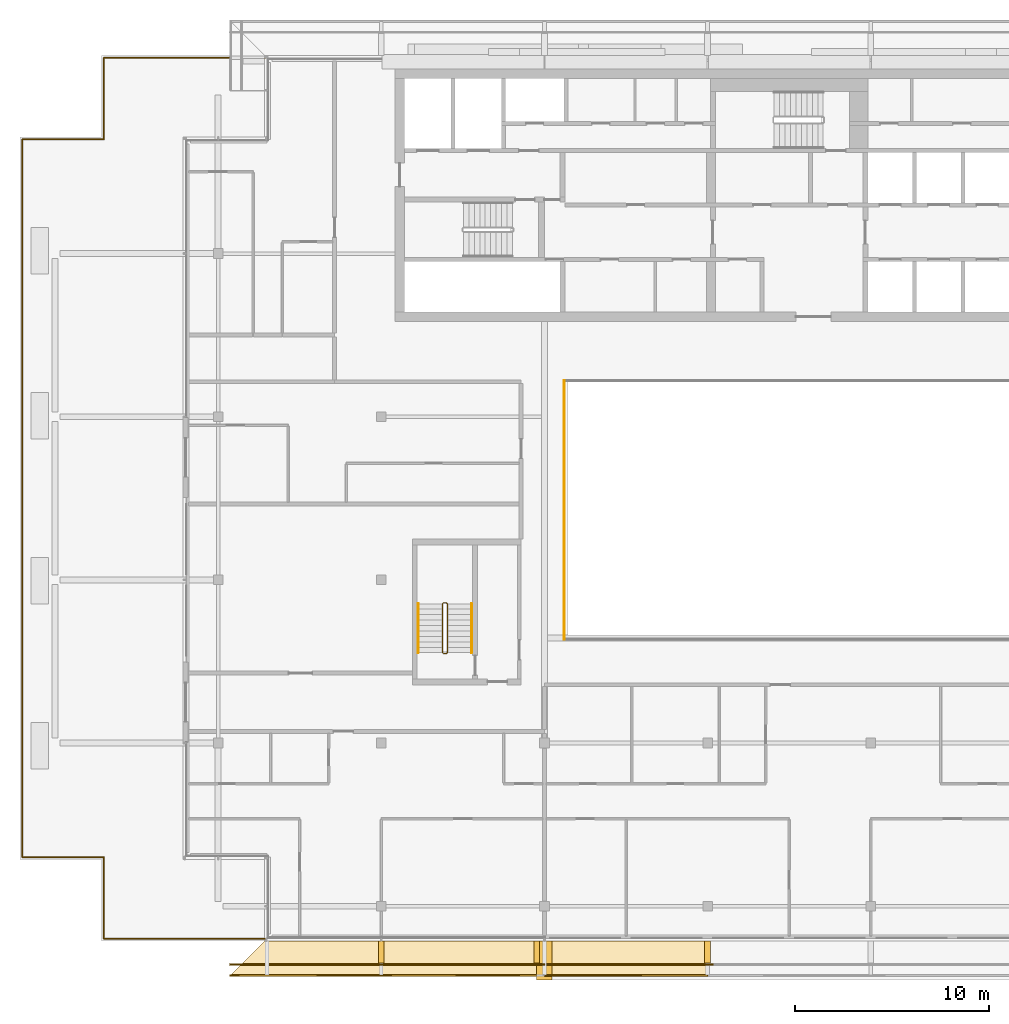
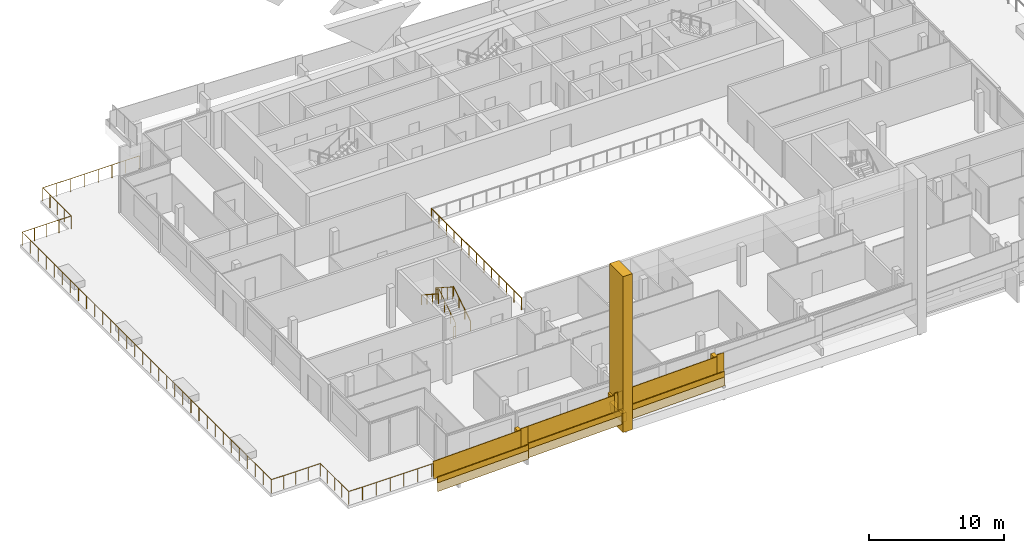
# One storey, part 24 of 29: 12 railings, 11 coverings.
"""IFC4 building model written with IfcOpenShell, lengths in metres."""

import ifcopenshell
import ifcopenshell.guid

model = None  # the IFC model being written
_history = None  # IfcOwnerHistory: only IFC2X3 demands one
_inside = {}  # id of a spatial element -> (the spatial element, [elements in it])
_under = {}  # id of a project, library or spatial element -> (it, [spatial elements below it])
_declared = {}  # id of a project -> (the project, [libraries it declares])
_typed = {}  # id of a type object -> (the type object, [elements of that type])
_made_of = {}  # id of a material, layer set ... -> (it, [elements and type objects made of it])


def new_model(schema):
    """Start an empty IFC model of exactly this schema.

    Asked for "IFC4X3", IfcOpenShell would pick the latest addendum, in which some entities
    have other attributes; the version numbers below select the first issue.
    IFC2X3 requires an IfcOwnerHistory on every rooted entity: one is made here for all.
    """
    global model, _history
    if schema == "IFC4X3":
        model = ifcopenshell.file(schema_version=(4, 3, 0, 0))
    else:
        model = ifcopenshell.file(schema=schema)
    _inside.clear()
    _under.clear()
    _declared.clear()
    _typed.clear()
    _made_of.clear()
    _history = None
    if model.schema == "IFC2X3":
        org = make("IfcOrganization", Name="unknown")
        user = make(
            "IfcPersonAndOrganization",
            ThePerson=make("IfcPerson", FamilyName="unknown"),
            TheOrganization=org,
        )
        app = make(
            "IfcApplication",
            ApplicationDeveloper=org,
            Version="unknown",
            ApplicationFullName="unknown",
            ApplicationIdentifier="unknown",
        )
        _history = make(
            "IfcOwnerHistory",
            OwningUser=user,
            OwningApplication=app,
            ChangeAction="ADDED",
            CreationDate=0,
        )
    return model


def make(cls, **values):
    """One entity of the class cls with the attributes given. An attribute that is None is left unset."""
    return model.create_entity(
        cls, **{name: value for name, value in values.items() if value is not None}
    )


def rooted(cls, **values):
    """An entity with a GlobalId (a new one), such as an element, a storey or a relation."""
    return make(cls, GlobalId=ifcopenshell.guid.new(), OwnerHistory=_history, **values)


def si_unit(unit_type, name, prefix=None):
    """IfcSIUnit, for example si_unit("LENGTHUNIT", "METRE", prefix="MILLI")."""
    return make("IfcSIUnit", UnitType=unit_type, Prefix=prefix, Name=name)


def assignment(units):
    """IfcUnitAssignment: the units of a project."""
    return None if units is None else make("IfcUnitAssignment", Units=units)


def point(xyz):
    """IfcCartesianPoint."""
    return None if xyz is None else make("IfcCartesianPoint", Coordinates=xyz)


def direction(xyz):
    """IfcDirection."""
    return None if xyz is None else make("IfcDirection", DirectionRatios=xyz)


def frame(location, z_axis=None, x_axis=None):
    """IfcAxis2Placement3D, a coordinate frame: its origin and axes. An axis left out is left unset."""
    return make(
        "IfcAxis2Placement3D",
        Location=point(location),
        Axis=direction(z_axis),
        RefDirection=direction(x_axis),
    )


def frame_2d(location, x_axis=None):
    """IfcAxis2Placement2D, a coordinate frame in the plane: its origin and x axis."""
    return make(
        "IfcAxis2Placement2D", Location=point(location), RefDirection=direction(x_axis)
    )


def origin():
    """The frame at (0, 0, 0) with its axes left unset."""
    return frame((0.0, 0.0, 0.0))


def origin_2d():
    """The frame at (0, 0) in the plane with its x axis left unset."""
    return frame_2d((0.0, 0.0))


def place(relative_to, where):
    """IfcLocalPlacement: puts the frame where relative to a parent placement (None: the world)."""
    return make(
        "IfcLocalPlacement", PlacementRelTo=relative_to, RelativePlacement=where
    )


def context(
    kind, dimensions, precision=None, world=None, true_north=None, identifier=None
):
    """IfcGeometricRepresentationContext, for example the 3D "Model" context."""
    return make(
        "IfcGeometricRepresentationContext",
        ContextIdentifier=identifier,
        ContextType=kind,
        CoordinateSpaceDimension=dimensions,
        Precision=precision,
        WorldCoordinateSystem=world,
        TrueNorth=true_north,
    )


def subcontext(parent, identifier, kind, view, scale=None):
    """IfcGeometricRepresentationSubContext, for example "Body" below "Model"."""
    return make(
        "IfcGeometricRepresentationSubContext",
        ContextIdentifier=identifier,
        ContextType=kind,
        ParentContext=parent,
        TargetScale=scale,
        TargetView=view,
    )


def project(units=None, contexts=None):
    """IfcProject with its units and contexts."""
    return rooted(
        "IfcProject",
        Name="project",
        RepresentationContexts=contexts,
        UnitsInContext=assignment(units),
    )


def spatial(cls, under=None, at=None, **own):
    """A site, building, storey or space (cls), placed at a placement, below another one or the project."""
    s = rooted(cls, ObjectPlacement=at, **own)
    if under is not None:
        _under.setdefault(under.id(), (under, []))[1].append(s)
    return s


def polyline(points):
    """IfcPolyline through the points."""
    return make("IfcPolyline", Points=[point(p) for p in points])


def profile(cls, at=None, kind="AREA", **sizes):
    """A parametric profile (cls). Its sizes go by their IFC names, for example OverallWidth=200.0."""
    return make(cls, ProfileType=kind, Position=at, **sizes)


def rectangle(**sizes):
    """IfcRectangleProfileDef."""
    return profile("IfcRectangleProfileDef", **sizes)


def circle(**sizes):
    """IfcCircleProfileDef."""
    return profile("IfcCircleProfileDef", **sizes)


def outline(outer, holes=None, kind="AREA"):
    """IfcArbitraryClosedProfileDef: a profile drawn as a closed curve; with holes, ...WithVoids."""
    if holes is None:
        return make("IfcArbitraryClosedProfileDef", ProfileType=kind, OuterCurve=outer)
    return make(
        "IfcArbitraryProfileDefWithVoids",
        ProfileType=kind,
        OuterCurve=outer,
        InnerCurves=holes,
    )


def extrude(swept, where, along, depth):
    """IfcExtrudedAreaSolid: the profile swept, set in the frame where, extruded along a direction by depth."""
    return make(
        "IfcExtrudedAreaSolid",
        SweptArea=swept,
        Position=where,
        ExtrudedDirection=direction(along),
        Depth=depth,
    )


def shape(context_of_items, identifier, shape_type, items):
    """IfcShapeRepresentation: the items that make up one representation, for example the "Body"."""
    return make(
        "IfcShapeRepresentation",
        ContextOfItems=context_of_items,
        RepresentationIdentifier=identifier,
        RepresentationType=shape_type,
        Items=items,
    )


def material(Name=None, Category=None):
    """IfcMaterial."""
    return make("IfcMaterial", Name=Name, Category=Category)


def layer(
    of_material, thickness, ventilated=None, Name=None, Category=None, Priority=None
):
    """IfcMaterialLayer: one layer of a wall or slab, of a material (None: an air gap)."""
    return make(
        "IfcMaterialLayer",
        Material=of_material,
        LayerThickness=thickness,
        IsVentilated=ventilated,
        Name=Name,
        Category=Category,
        Priority=Priority,
    )


def layer_set(layers, Name=None):
    """IfcMaterialLayerSet."""
    return make("IfcMaterialLayerSet", MaterialLayers=layers, LayerSetName=Name)


def made_of(thing, what):
    """Note that an element or type object is made of a material, layer set ...; save() writes the relation."""
    if what is not None:
        _made_of.setdefault(what.id(), (what, []))[1].append(thing)
    return thing


def type_object(cls, material=None, **own):
    """A type object (cls), such as IfcWallType, which elements share."""
    return made_of(rooted(cls, **own), material)


def element(
    cls,
    number,
    at=None,
    inside=None,
    cuts=None,
    type_object=None,
    material=None,
    context=None,
    identifier="Body",
    shape_type=None,
    held_by="IfcProductDefinitionShape",
    body=None,
    shapes=None,
    **own,
):
    """One element of the class cls, such as IfcWall. Its Tag is "e" and its number.

    at: its placement. inside: the storey or other place that contains it. cuts: it is an
    opening in that element (IfcRelVoidsElement). A single representation is given by context,
    identifier, shape_type and body (its items); several are given by shapes. held_by: the class
    of the entity that holds the representations. save() writes the other relations.
    """
    e = rooted(cls, Tag="e%d" % number, ObjectPlacement=at, **own)
    if body is not None:
        shapes = [shape(context, identifier, shape_type, body)]
    if shapes is not None:
        e.Representation = make(held_by, Representations=shapes)
    if inside is not None:
        _inside.setdefault(inside.id(), (inside, []))[1].append(e)
    if cuts is not None:
        rooted(
            "IfcRelVoidsElement", RelatingBuildingElement=cuts, RelatedOpeningElement=e
        )
    if type_object is not None:
        _typed.setdefault(type_object.id(), (type_object, []))[1].append(e)
    return made_of(e, material)


def aggregate(whole, parts):
    """IfcRelAggregates: a whole, such as a stair, and the parts it consists of."""
    return rooted("IfcRelAggregates", RelatingObject=whole, RelatedObjects=parts)


def save(model, path):
    """Write the relations noted so far, then the file.

    IfcRelAggregates (storeys below a building ...), IfcRelContainedInSpatialStructure (elements
    in a storey), IfcRelDefinesByType, IfcRelAssociatesMaterial and IfcRelDeclares: one each for
    every whole, place, type object, material and project.
    """
    for whole, parts in _under.values():
        aggregate(whole, parts)
    for where, things in _inside.values():
        rooted(
            "IfcRelContainedInSpatialStructure",
            RelatedElements=things,
            RelatingStructure=where,
        )
    for kind, things in _typed.values():
        rooted("IfcRelDefinesByType", RelatedObjects=things, RelatingType=kind)
    for what, things in _made_of.values():
        rooted("IfcRelAssociatesMaterial", RelatedObjects=things, RelatingMaterial=what)
    for by, libraries in _declared.values():
        rooted("IfcRelDeclares", RelatingContext=by, RelatedDefinitions=libraries)
    model.write(path)


model = new_model("IFC4")

# Units and contexts
model_context = context("Model", 3, precision=1e-05, world=origin(), true_north=direction((0.0, 1.0)))
body_context = subcontext(model_context, "Body", "Model", "MODEL_VIEW")
ifc_project = project(units=[si_unit("LENGTHUNIT", "METRE"), si_unit("AREAUNIT", "SQUARE_METRE"), si_unit("VOLUMEUNIT", "CUBIC_METRE"), si_unit("PLANEANGLEUNIT", "RADIAN"), si_unit("MASSUNIT", "GRAM", prefix="KILO")], contexts=[model_context])

# Site, building, storey
site_placement = place(None, origin())
site = spatial("IfcSite", under=ifc_project, at=site_placement, CompositionType="ELEMENT")
building_placement = place(site_placement, origin())
building = spatial("IfcBuilding", under=site, at=building_placement, Name="Saffron Gate Tower", CompositionType="ELEMENT")
storey_placement = place(building_placement, frame((0.0, 0.0, 270.75)))
storey = spatial("IfcBuildingStorey", under=building, at=storey_placement, Name="L65", CompositionType="ELEMENT", Elevation=270.75)

# Railings
ifc_material_1 = material(Name="Stainless steel and laminated glass", Category="steel")
railing_type_1 = type_object("IfcRailingType", Name="AG1 Atrium edge guard 1100", PredefinedType="GUARDRAIL", material=ifc_material_1)
railing_1_placement = place(storey_placement, frame((76.02001953125, 45.5400390625, 0.0)))
element("IfcRailing", 1, at=railing_1_placement, inside=storey, type_object=railing_type_1, Name="Guard E2-1", PredefinedType="GUARDRAIL", context=body_context, shape_type="SweptSolid", body=[
    extrude(circle(Radius=0.02392578125, at=origin_2d()), frame((0.0, 0.0, 1.076171875), z_axis=(0.0, 1.0, 0.0), x_axis=(-1.0, 0.0, 0.0)), (0.0, 0.0, 1.0), 13.320068359375),
    extrude(circle(Radius=0.02099609375, at=origin_2d()), origin(), (0.0, 0.0, 1.0), 1.052001953125),
    extrude(circle(Radius=0.02099609375, at=origin_2d()), frame((0.0, 1.110107421875, 0.0)), (0.0, 0.0, 1.0), 1.052001953125),
    extrude(circle(Radius=0.02099609375, at=origin_2d()), frame((0.0, 2.219970703125, 0.0)), (0.0, 0.0, 1.0), 1.052001953125),
    extrude(circle(Radius=0.02099609375, at=origin_2d()), frame((0.0, 3.330078125, 0.0)), (0.0, 0.0, 1.0), 1.052001953125),
    extrude(circle(Radius=0.02099609375, at=origin_2d()), frame((0.0, 4.43994140625, 0.0)), (0.0, 0.0, 1.0), 1.052001953125),
    extrude(circle(Radius=0.02099609375, at=origin_2d()), frame((0.0, 5.550048828125, 0.0)), (0.0, 0.0, 1.0), 1.052001953125),
    extrude(circle(Radius=0.02099609375, at=origin_2d()), frame((0.0, 6.66015625, 0.0)), (0.0, 0.0, 1.0), 1.052001953125),
    extrude(circle(Radius=0.02099609375, at=origin_2d()), frame((0.0, 7.77001953125, 0.0)), (0.0, 0.0, 1.0), 1.052001953125),
    extrude(circle(Radius=0.02099609375, at=origin_2d()), frame((0.0, 8.880126953125, 0.0)), (0.0, 0.0, 1.0), 1.052001953125),
    extrude(circle(Radius=0.02099609375, at=origin_2d()), frame((0.0, 9.989990234375, 0.0)), (0.0, 0.0, 1.0), 1.052001953125),
    extrude(circle(Radius=0.02099609375, at=origin_2d()), frame((0.0, 11.10009765625, 0.0)), (0.0, 0.0, 1.0), 1.052001953125),
    extrude(circle(Radius=0.02099609375, at=origin_2d()), frame((0.0, 12.2099609375, 0.0)), (0.0, 0.0, 1.0), 1.052001953125),
    extrude(circle(Radius=0.02099609375, at=origin_2d()), frame((0.0, 13.320068359375, 0.0)), (0.0, 0.0, 1.0), 1.052001953125),
])
ifc_material_2 = material(Name="Stainless steel posts and toughened glass infill", Category="steel")
railing_type_2 = type_object("IfcRailingType", Name="BAL1 balustrade 1200", PredefinedType="BALUSTRADE", material=ifc_material_2)
railing_2_placement = place(storey_placement, frame((60.60009765625, 75.47998046875, 0.0)))
element("IfcRailing", 2, at=railing_2_placement, inside=storey, type_object=railing_type_2, Name="GUARD terrace edge", PredefinedType="BALUSTRADE", context=body_context, shape_type="SweptSolid", body=[
    extrude(circle(Radius=0.02392578125, at=origin_2d()), frame((0.0, 0.0, 1.17578125), z_axis=(-1.0, 0.0, 0.0), x_axis=(0.0, -1.0, 0.0)), (0.0, 0.0, 1.0), 8.280029296875),
    extrude(circle(Radius=0.02392578125, at=origin_2d()), frame((-8.280029296875, 0.0, 1.17578125), z_axis=(0.0, -1.0, 0.0), x_axis=(1.0, 0.0, 0.0)), (0.0, 0.0, 1.0), 4.199951171875),
    extrude(circle(Radius=0.02392578125, at=origin_2d()), frame((-8.280029296875, -4.199951171875, 1.17578125), z_axis=(-1.0, 0.0, 0.0), x_axis=(0.0, -1.0, 0.0)), (0.0, 0.0, 1.0), 4.199951171875),
    extrude(circle(Radius=0.02392578125, at=origin_2d()), frame((-12.47998046875, -4.199951171875, 1.17578125), z_axis=(0.0, -1.0, 0.0), x_axis=(1.0, 0.0, 0.0)), (0.0, 0.0, 1.0), 36.9599609375),
    extrude(circle(Radius=0.02392578125, at=origin_2d()), frame((-12.47998046875, -41.159912109375, 1.17578125), z_axis=(1.0, 0.0, 0.0), x_axis=(0.0, 1.0, 0.0)), (0.0, 0.0, 1.0), 4.199951171875),
    extrude(circle(Radius=0.02392578125, at=origin_2d()), frame((-8.280029296875, -41.159912109375, 1.17578125), z_axis=(0.0, -1.0, 0.0), x_axis=(1.0, 0.0, 0.0)), (0.0, 0.0, 1.0), 4.199951171875),
    extrude(circle(Radius=0.02392578125, at=origin_2d()), frame((-8.280029296875, -45.35986328125, 1.17578125), z_axis=(1.0, 0.0, 0.0), x_axis=(0.0, 1.0, 0.0)), (0.0, 0.0, 1.0), 8.280029296875),
    extrude(circle(Radius=0.02099609375, at=origin_2d()), origin(), (0.0, 0.0, 1.0), 1.15185546875),
    extrude(circle(Radius=0.02099609375, at=origin_2d()), frame((-1.182861328125, 0.0, 0.0)), (0.0, 0.0, 1.0), 1.15185546875),
    extrude(circle(Radius=0.02099609375, at=origin_2d()), frame((-2.36572265625, 0.0, 0.0)), (0.0, 0.0, 1.0), 1.15185546875),
    extrude(circle(Radius=0.02099609375, at=origin_2d()), frame((-3.548583984375, 0.0, 0.0)), (0.0, 0.0, 1.0), 1.15185546875),
    extrude(circle(Radius=0.02099609375, at=origin_2d()), frame((-4.7314453125, 0.0, 0.0)), (0.0, 0.0, 1.0), 1.15185546875),
    extrude(circle(Radius=0.02099609375, at=origin_2d()), frame((-5.914306640625, 0.0, 0.0)), (0.0, 0.0, 1.0), 1.15185546875),
    extrude(circle(Radius=0.02099609375, at=origin_2d()), frame((-7.09716796875, 0.0, 0.0)), (0.0, 0.0, 1.0), 1.15185546875),
    extrude(circle(Radius=0.02099609375, at=origin_2d()), frame((-8.280029296875, 0.0, 0.0)), (0.0, 0.0, 1.0), 1.15185546875),
    extrude(circle(Radius=0.02099609375, at=origin_2d()), frame((-8.280029296875, -1.050048828125, 0.0)), (0.0, 0.0, 1.0), 1.15185546875),
    extrude(circle(Radius=0.02099609375, at=origin_2d()), frame((-8.280029296875, -2.10009765625, 0.0)), (0.0, 0.0, 1.0), 1.15185546875),
    extrude(circle(Radius=0.02099609375, at=origin_2d()), frame((-8.280029296875, -3.14990234375, 0.0)), (0.0, 0.0, 1.0), 1.15185546875),
    extrude(circle(Radius=0.02099609375, at=origin_2d()), frame((-8.280029296875, -4.199951171875, 0.0)), (0.0, 0.0, 1.0), 1.15185546875),
    extrude(circle(Radius=0.02099609375, at=origin_2d()), frame((-9.330078125, -4.199951171875, 0.0)), (0.0, 0.0, 1.0), 1.15185546875),
    extrude(circle(Radius=0.02099609375, at=origin_2d()), frame((-10.3798828125, -4.199951171875, 0.0)), (0.0, 0.0, 1.0), 1.15185546875),
    extrude(circle(Radius=0.02099609375, at=origin_2d()), frame((-11.429931640625, -4.199951171875, 0.0)), (0.0, 0.0, 1.0), 1.15185546875),
    extrude(circle(Radius=0.02099609375, at=origin_2d()), frame((-12.47998046875, -4.199951171875, 0.0)), (0.0, 0.0, 1.0), 1.15185546875),
    extrude(circle(Radius=0.02099609375, at=origin_2d()), frame((-12.47998046875, -5.39208984375, 0.0)), (0.0, 0.0, 1.0), 1.15185546875),
    extrude(circle(Radius=0.02099609375, at=origin_2d()), frame((-12.47998046875, -6.58447265625, 0.0)), (0.0, 0.0, 1.0), 1.15185546875),
    extrude(circle(Radius=0.02099609375, at=origin_2d()), frame((-12.47998046875, -7.776611328125, 0.0)), (0.0, 0.0, 1.0), 1.15185546875),
    extrude(circle(Radius=0.02099609375, at=origin_2d()), frame((-12.47998046875, -8.968994140625, 0.0)), (0.0, 0.0, 1.0), 1.15185546875),
    extrude(circle(Radius=0.02099609375, at=origin_2d()), frame((-12.47998046875, -10.1611328125, 0.0)), (0.0, 0.0, 1.0), 1.15185546875),
    extrude(circle(Radius=0.02099609375, at=origin_2d()), frame((-12.47998046875, -11.353515625, 0.0)), (0.0, 0.0, 1.0), 1.15185546875),
    extrude(circle(Radius=0.02099609375, at=origin_2d()), frame((-12.47998046875, -12.545654296875, 0.0)), (0.0, 0.0, 1.0), 1.15185546875),
    extrude(circle(Radius=0.02099609375, at=origin_2d()), frame((-12.47998046875, -13.738037109375, 0.0)), (0.0, 0.0, 1.0), 1.15185546875),
    extrude(circle(Radius=0.02099609375, at=origin_2d()), frame((-12.47998046875, -14.93017578125, 0.0)), (0.0, 0.0, 1.0), 1.15185546875),
    extrude(circle(Radius=0.02099609375, at=origin_2d()), frame((-12.47998046875, -16.12255859375, 0.0)), (0.0, 0.0, 1.0), 1.15185546875),
    extrude(circle(Radius=0.02099609375, at=origin_2d()), frame((-12.47998046875, -17.314697265625, 0.0)), (0.0, 0.0, 1.0), 1.15185546875),
    extrude(circle(Radius=0.02099609375, at=origin_2d()), frame((-12.47998046875, -18.507080078125, 0.0)), (0.0, 0.0, 1.0), 1.15185546875),
    extrude(circle(Radius=0.02099609375, at=origin_2d()), frame((-12.47998046875, -19.69921875, 0.0)), (0.0, 0.0, 1.0), 1.15185546875),
    extrude(circle(Radius=0.02099609375, at=origin_2d()), frame((-12.47998046875, -20.8916015625, 0.0)), (0.0, 0.0, 1.0), 1.15185546875),
    extrude(circle(Radius=0.02099609375, at=origin_2d()), frame((-12.47998046875, -22.083740234375, 0.0)), (0.0, 0.0, 1.0), 1.15185546875),
    extrude(circle(Radius=0.02099609375, at=origin_2d()), frame((-12.47998046875, -23.276123046875, 0.0)), (0.0, 0.0, 1.0), 1.15185546875),
    extrude(circle(Radius=0.02099609375, at=origin_2d()), frame((-12.47998046875, -24.46826171875, 0.0)), (0.0, 0.0, 1.0), 1.15185546875),
    extrude(circle(Radius=0.02099609375, at=origin_2d()), frame((-12.47998046875, -25.66064453125, 0.0)), (0.0, 0.0, 1.0), 1.15185546875),
    extrude(circle(Radius=0.02099609375, at=origin_2d()), frame((-12.47998046875, -26.852783203125, 0.0)), (0.0, 0.0, 1.0), 1.15185546875),
    extrude(circle(Radius=0.02099609375, at=origin_2d()), frame((-12.47998046875, -28.045166015625, 0.0)), (0.0, 0.0, 1.0), 1.15185546875),
    extrude(circle(Radius=0.02099609375, at=origin_2d()), frame((-12.47998046875, -29.2373046875, 0.0)), (0.0, 0.0, 1.0), 1.15185546875),
    extrude(circle(Radius=0.02099609375, at=origin_2d()), frame((-12.47998046875, -30.4296875, 0.0)), (0.0, 0.0, 1.0), 1.15185546875),
    extrude(circle(Radius=0.02099609375, at=origin_2d()), frame((-12.47998046875, -31.621826171875, 0.0)), (0.0, 0.0, 1.0), 1.15185546875),
    extrude(circle(Radius=0.02099609375, at=origin_2d()), frame((-12.47998046875, -32.814208984375, 0.0)), (0.0, 0.0, 1.0), 1.15185546875),
    extrude(circle(Radius=0.02099609375, at=origin_2d()), frame((-12.47998046875, -34.00634765625, 0.0)), (0.0, 0.0, 1.0), 1.15185546875),
    extrude(circle(Radius=0.02099609375, at=origin_2d()), frame((-12.47998046875, -35.19873046875, 0.0)), (0.0, 0.0, 1.0), 1.15185546875),
    extrude(circle(Radius=0.02099609375, at=origin_2d()), frame((-12.47998046875, -36.390869140625, 0.0)), (0.0, 0.0, 1.0), 1.15185546875),
    extrude(circle(Radius=0.02099609375, at=origin_2d()), frame((-12.47998046875, -37.583251953125, 0.0)), (0.0, 0.0, 1.0), 1.15185546875),
    extrude(circle(Radius=0.02099609375, at=origin_2d()), frame((-12.47998046875, -38.775390625, 0.0)), (0.0, 0.0, 1.0), 1.15185546875),
    extrude(circle(Radius=0.02099609375, at=origin_2d()), frame((-12.47998046875, -39.9677734375, 0.0)), (0.0, 0.0, 1.0), 1.15185546875),
    extrude(circle(Radius=0.02099609375, at=origin_2d()), frame((-12.47998046875, -41.159912109375, 0.0)), (0.0, 0.0, 1.0), 1.15185546875),
    extrude(circle(Radius=0.02099609375, at=origin_2d()), frame((-11.429931640625, -41.159912109375, 0.0)), (0.0, 0.0, 1.0), 1.15185546875),
    extrude(circle(Radius=0.02099609375, at=origin_2d()), frame((-10.3798828125, -41.159912109375, 0.0)), (0.0, 0.0, 1.0), 1.15185546875),
    extrude(circle(Radius=0.02099609375, at=origin_2d()), frame((-9.330078125, -41.159912109375, 0.0)), (0.0, 0.0, 1.0), 1.15185546875),
    extrude(circle(Radius=0.02099609375, at=origin_2d()), frame((-8.280029296875, -41.159912109375, 0.0)), (0.0, 0.0, 1.0), 1.15185546875),
    extrude(circle(Radius=0.02099609375, at=origin_2d()), frame((-8.280029296875, -42.2099609375, 0.0)), (0.0, 0.0, 1.0), 1.15185546875),
    extrude(circle(Radius=0.02099609375, at=origin_2d()), frame((-8.280029296875, -43.259765625, 0.0)), (0.0, 0.0, 1.0), 1.15185546875),
    extrude(circle(Radius=0.02099609375, at=origin_2d()), frame((-8.280029296875, -44.309814453125, 0.0)), (0.0, 0.0, 1.0), 1.15185546875),
    extrude(circle(Radius=0.02099609375, at=origin_2d()), frame((-8.280029296875, -45.35986328125, 0.0)), (0.0, 0.0, 1.0), 1.15185546875),
    extrude(circle(Radius=0.02099609375, at=origin_2d()), frame((-7.09716796875, -45.35986328125, 0.0)), (0.0, 0.0, 1.0), 1.15185546875),
    extrude(circle(Radius=0.02099609375, at=origin_2d()), frame((-5.914306640625, -45.35986328125, 0.0)), (0.0, 0.0, 1.0), 1.15185546875),
    extrude(circle(Radius=0.02099609375, at=origin_2d()), frame((-4.7314453125, -45.35986328125, 0.0)), (0.0, 0.0, 1.0), 1.15185546875),
    extrude(circle(Radius=0.02099609375, at=origin_2d()), frame((-3.548583984375, -45.35986328125, 0.0)), (0.0, 0.0, 1.0), 1.15185546875),
    extrude(circle(Radius=0.02099609375, at=origin_2d()), frame((-2.36572265625, -45.35986328125, 0.0)), (0.0, 0.0, 1.0), 1.15185546875),
    extrude(circle(Radius=0.02099609375, at=origin_2d()), frame((-1.182861328125, -45.35986328125, 0.0)), (0.0, 0.0, 1.0), 1.15185546875),
    extrude(circle(Radius=0.02099609375, at=origin_2d()), frame((0.0, -45.35986328125, 0.0)), (0.0, 0.0, 1.0), 1.15185546875),
])
railing_type_3 = type_object("IfcRailingType", Name="CR1 Stair guard 1100", PredefinedType="GUARDRAIL", material=ifc_material_1)
railing_3_placement = place(storey_placement, frame((69.800048828125, 44.800048828125, 0.0)))
element("IfcRailing", 3, at=railing_3_placement, inside=storey, type_object=railing_type_3, Name="L65 ST-D stair guard 1", PredefinedType="GUARDRAIL", context=body_context, shape_type="SweptSolid", body=[
    extrude(circle(Radius=0.02392578125, at=origin_2d()), frame((0.0, 0.0, 1.076171875), z_axis=(1.0, 0.0, 0.0), x_axis=(0.0, 1.0, 0.0)), (0.0, 0.0, 1.0), 0.14990234375),
    extrude(circle(Radius=0.02392578125, at=origin_2d()), frame((0.14990234375, 0.0, 1.076171875), z_axis=(0.258847668887, 0.258847668887, 0.930588936439), x_axis=(-0.707106781187, 0.707106781187, 0.0)), (0.0, 0.0, 1.0), 0.193359375),
    extrude(circle(Radius=0.02392578125, at=origin_2d()), frame((0.199951171875, 0.050048828125, 1.255859375), z_axis=(0.0, 0.841162588446, 0.540782303519), x_axis=(-1.0, 0.0, 0.0)), (0.0, 0.0, 1.0), 2.995849609375),
    extrude(circle(Radius=0.02392578125, at=origin_2d()), frame((0.199951171875, 2.570068359375, 2.8759765625), z_axis=(-0.708833529934, 0.705375805398, 0.0), x_axis=(-0.705375805398, -0.708833529934, 0.0)), (0.0, 0.0, 1.0), 0.070556640625),
    extrude(circle(Radius=0.02392578125, at=origin_2d()), frame((0.14990234375, 2.619873046875, 2.8759765625), z_axis=(-1.0, 0.0, 0.0), x_axis=(0.0, -1.0, 0.0)), (0.0, 0.0, 1.0), 0.14990234375),
    extrude(circle(Radius=0.02392578125, at=origin_2d()), frame((0.0, 2.619873046875, 2.8759765625), z_axis=(-0.258932105505, -0.257669022063, 0.930892496375), x_axis=(0.705375805398, -0.708833529934, 0.0)), (0.0, 0.0, 1.0), 0.193359375),
    extrude(circle(Radius=0.02392578125, at=origin_2d()), frame((-0.050048828125, 2.570068359375, 3.05615234375), z_axis=(0.0, -0.841162588446, 0.540782303519), x_axis=(1.0, 0.0, 0.0)), (0.0, 0.0, 1.0), 2.995849609375),
    extrude(circle(Radius=0.02099609375, at=origin_2d()), origin(), (0.0, 0.0, 1.0), 1.052001953125),
    extrude(circle(Radius=0.02099609375, at=origin_2d()), frame((0.14990234375, 0.0, 0.0)), (0.0, 0.0, 1.0), 1.052001953125),
    extrude(circle(Radius=0.02099609375, at=origin_2d()), frame((0.199951171875, 0.050048828125, 0.179931640625)), (0.0, 0.0, 1.0), 1.052001953125),
    extrude(circle(Radius=0.02099609375, at=origin_2d()), frame((0.199951171875, 0.89013671875, 0.719970703125)), (0.0, 0.0, 1.0), 1.052001953125),
    extrude(circle(Radius=0.02099609375, at=origin_2d()), frame((0.199951171875, 1.72998046875, 1.260009765625)), (0.0, 0.0, 1.0), 1.052001953125),
    extrude(circle(Radius=0.02099609375, at=origin_2d()), frame((0.199951171875, 2.570068359375, 1.800048828125)), (0.0, 0.0, 1.0), 1.052001953125),
    extrude(circle(Radius=0.02099609375, at=origin_2d()), frame((0.14990234375, 2.619873046875, 1.800048828125)), (0.0, 0.0, 1.0), 1.052001953125),
    extrude(circle(Radius=0.02099609375, at=origin_2d()), frame((0.0, 2.619873046875, 1.800048828125)), (0.0, 0.0, 1.0), 1.052001953125),
    extrude(circle(Radius=0.02099609375, at=origin_2d()), frame((-0.050048828125, 2.570068359375, 1.97998046875)), (0.0, 0.0, 1.0), 1.052001953125),
    extrude(circle(Radius=0.02099609375, at=origin_2d()), frame((-0.050048828125, 1.72998046875, 2.52001953125)), (0.0, 0.0, 1.0), 1.052001953125),
    extrude(circle(Radius=0.02099609375, at=origin_2d()), frame((-0.050048828125, 0.89013671875, 3.06005859375)), (0.0, 0.0, 1.0), 1.052001953125),
    extrude(circle(Radius=0.02099609375, at=origin_2d()), frame((-0.050048828125, 0.050048828125, 3.60009765625)), (0.0, 0.0, 1.0), 1.052001953125),
])
ifc_material_3 = material(Name="Stainless steel", Category="steel")
railing_type_4 = type_object("IfcRailingType", Name="CR2 Stair handrail 900", PredefinedType="HANDRAIL", material=ifc_material_3)
railing_4_placement = place(storey_placement, frame((71.25, 44.85009765625, 0.179931640625)))
element("IfcRailing", 4, at=railing_4_placement, inside=storey, type_object=railing_type_4, Name="L65 ST-D stair handrail 1", PredefinedType="HANDRAIL", context=body_context, shape_type="SweptSolid", body=[
    extrude(circle(Radius=0.02392578125, at=origin_2d()), frame((0.0, 0.0, 0.8759765625), z_axis=(0.0, 0.841162588446, 0.540782303519), x_axis=(-1.0, 0.0, 0.0)), (0.0, 0.0, 1.0), 2.995849609375),
    extrude(circle(Radius=0.02099609375, at=origin_2d()), origin(), (0.0, 0.0, 1.0), 0.851806640625),
    extrude(circle(Radius=0.02099609375, at=origin_2d()), frame((0.0, 0.840087890625, 0.5400390625)), (0.0, 0.0, 1.0), 0.851806640625),
    extrude(circle(Radius=0.02099609375, at=origin_2d()), frame((0.0, 1.679931640625, 1.080078125)), (0.0, 0.0, 1.0), 0.851806640625),
    extrude(circle(Radius=0.02099609375, at=origin_2d()), frame((0.0, 2.52001953125, 1.6201171875)), (0.0, 0.0, 1.0), 0.851806640625),
])
railing_5_placement = place(storey_placement, frame((68.5, 47.3701171875, 1.97998046875)))
element("IfcRailing", 5, at=railing_5_placement, inside=storey, type_object=railing_type_4, Name="L65 ST-D stair handrail 2", PredefinedType="HANDRAIL", context=body_context, shape_type="SweptSolid", body=[
    extrude(circle(Radius=0.02392578125, at=origin_2d()), frame((0.0, 0.0, 0.8759765625), z_axis=(0.0, -0.841162588446, 0.540782303519), x_axis=(1.0, 0.0, 0.0)), (0.0, 0.0, 1.0), 2.995849609375),
    extrude(circle(Radius=0.02099609375, at=origin_2d()), origin(), (0.0, 0.0, 1.0), 0.851806640625),
    extrude(circle(Radius=0.02099609375, at=origin_2d()), frame((0.0, -0.840087890625, 0.5400390625)), (0.0, 0.0, 1.0), 0.851806640625),
    extrude(circle(Radius=0.02099609375, at=origin_2d()), frame((0.0, -1.679931640625, 1.080078125)), (0.0, 0.0, 1.0), 0.851806640625),
    extrude(circle(Radius=0.02099609375, at=origin_2d()), frame((0.0, -2.52001953125, 1.6201171875)), (0.0, 0.0, 1.0), 0.851806640625),
])

# Coverings
ifc_material_4 = material(Name="Ceramic-printed bronze insulated panel")
ifc_layer_1 = layer(ifc_material_4, 0.800048828125)
ifc_layer_set_1 = layer_set([ifc_layer_1], Name="FN1 atrium fin")
covering_type_1 = type_object("IfcCoveringType", Name="FN1 atrium fin", PredefinedType="CLADDING", material=ifc_layer_set_1)
covering_1_placement = place(storey_placement, origin())
element("IfcCovering", 6, at=covering_1_placement, inside=storey, type_object=covering_type_1, Name="CLADDING atrium fin", PredefinedType="CLADDING", context=body_context, shape_type="SweptSolid", body=[
    extrude(outline(polyline([(74.60009765625, 30.0), (75.39990234375, 30.0), (75.39990234375, 28.0), (74.60009765625, 28.0), (74.60009765625, 30.0)])), origin(), (0.0, 0.0, 1.0), 14.1201171875),
])
ifc_material_5 = material(Name="Timber, thermally modified ash", Category="wood")
ifc_layer_2 = layer(ifc_material_5, 0.800048828125)
ifc_layer_set_2 = layer_set([ifc_layer_2], Name="LD1 ledge timber")
covering_type_2 = type_object("IfcCoveringType", Name="LD1 ledge timber", PredefinedType="CLADDING", material=ifc_layer_set_2)
covering_2_placement = place(storey_placement, frame((60.60009765625, 30.0, 0.89990234375), z_axis=(-0.028789477025, 2.391759e-05, 0.999585496814), x_axis=(0.9995854971, -1.72e-10, 0.028789477033)))
element("IfcCovering", 7, at=covering_2_placement, inside=storey, type_object=covering_type_2, Name="LEDGE", PredefinedType="CLADDING", context=body_context, shape_type="SweptSolid", body=[
    extrude(outline(polyline([(0.0, 0.0), (6.002489288687248, -8.470329472543003e-22), (6.002489288996045, -1.8000488276101398), (-1.800792782710612, -1.8000488299785034), (0.0, 0.0)])), origin(), (0.0, 0.0, -1.0), 0.800048828125),
])
covering_3_placement = place(storey_placement, frame((66.60009765625, 30.0, 1.1904296875), z_axis=(-0.028796646555, 0.0, 0.999585290582), x_axis=(0.999585290582, 0.0, 0.028796646555)))
element("IfcCovering", 8, at=covering_3_placement, inside=storey, type_object=covering_type_2, Name="LEDGE", PredefinedType="CLADDING", context=body_context, shape_type="SweptSolid", body=[
    extrude(outline(polyline([(0.0, 0.0), (8.003319051788862, 0.0), (8.003319051788862, -1.800048828125), (0.0, -1.800048828125), (0.0, 0.0)])), origin(), (0.0, 0.0, -1.0), 0.800048828125),
])
covering_4_placement = place(storey_placement, frame((74.60009765625, 30.0, 1.577880859375), z_axis=(-0.028681724025, 0.0, 0.999588594726), x_axis=(0.999588594726, 0.0, 0.028681724025)))
element("IfcCovering", 9, at=covering_4_placement, inside=storey, type_object=covering_type_2, Name="LEDGE", PredefinedType="CLADDING", context=body_context, shape_type="SweptSolid", body=[
    extrude(outline(polyline([(0.0, 0.0), (0.40006693339621563, 0.0), (0.40006693339621563, -1.8000488281250004), (0.0, -1.8000488281250004), (0.0, 0.0)])), origin(), (0.0, 0.0, -1.0), 0.800048828125),
])
covering_5_placement = place(storey_placement, frame((75.0, 30.0, 1.59716796875), z_axis=(-0.028791175352, 0.0, 0.999585448184), x_axis=(0.999585448184, 0.0, 0.028791175352)))
element("IfcCovering", 10, at=covering_5_placement, inside=storey, type_object=covering_type_2, Name="LEDGE", PredefinedType="CLADDING", context=body_context, shape_type="SweptSolid", body=[
    extrude(outline(polyline([(0.0, 0.0), (8.403385982666892, 0.0), (8.403385982666892, -1.800048828125), (0.0, -1.800048828125), (0.0, 0.0)])), origin(), (0.0, 0.0, -1.0), 0.800048828125),
])
ifc_layer_3 = layer(ifc_material_5, 0.080078125)
ifc_layer_set_3 = layer_set([ifc_layer_3], Name="LD2 ledge planter trough")
covering_type_3 = type_object("IfcCoveringType", Name="LD2 ledge planter trough", PredefinedType="CLADDING", material=ifc_layer_set_3)
covering_6_placement = place(storey_placement, frame((58.800048828125, 28.199951171875, 0.84814453125), z_axis=(0.0, -1.0, 0.0), x_axis=(0.999585655924, 0.0, 0.028783962047)))
element("IfcCovering", 11, at=covering_6_placement, inside=storey, type_object=covering_type_3, Name="LEDGE planter trough", PredefinedType="CLADDING", context=body_context, shape_type="SweptSolid", body=[
    extrude(outline(polyline([(0.0, 0.0), (7.803282071825423, 2.7755575615628914e-17), (7.817674052849086, 0.4997928279619612), (0.014391981023662846, 0.4997928279619612), (0.0, 0.0)])), origin(), (0.0, 0.0, -1.0), 0.080078125),
])
covering_7_placement = place(storey_placement, frame((66.60009765625, 28.199951171875, 1.1904296875), z_axis=(0.0, -1.0, 0.0), x_axis=(0.999585290582, 0.0, 0.028796646555)))
element("IfcCovering", 12, at=covering_7_placement, inside=storey, type_object=covering_type_3, Name="LEDGE planter trough", PredefinedType="CLADDING", context=body_context, shape_type="SweptSolid", body=[
    extrude(outline(polyline([(0.0, 0.0), (8.003319051788862, 0.0), (8.017717375066283, 0.4997926452908234), (0.014398323277421184, 0.49979264529082346), (0.0, 0.0)])), origin(), (0.0, 0.0, -1.0), 0.080078125),
])
covering_8_placement = place(storey_placement, frame((75.0, 28.199951171875, 1.59716796875), z_axis=(0.0, -1.0, 0.0), x_axis=(0.999585448184, 0.0, 0.028791175352)))
element("IfcCovering", 13, at=covering_8_placement, inside=storey, type_object=covering_type_3, Name="LEDGE planter trough", PredefinedType="CLADDING", context=body_context, shape_type="SweptSolid", body=[
    extrude(outline(polyline([(0.0, 0.0), (8.403385982666892, 0.0), (8.417781570342743, 0.49979272409216496), (0.014395587675851172, 0.4997927240921649), (0.0, 0.0)])), origin(), (0.0, 0.0, -1.0), 0.080078125),
])
ifc_layer_4 = layer(ifc_material_5, 0.300048828125)
ifc_layer_set_4 = layer_set([ifc_layer_4], Name="LD3 ledge riser fin")
covering_type_4 = type_object("IfcCoveringType", Name="LD3 ledge riser fin", PredefinedType="CLADDING", material=ifc_layer_set_4)
covering_9_placement = place(storey_placement, frame((66.60009765625, 29.43994140625, 0.27294921875), z_axis=(0.0, 0.0, 1.0), x_axis=(1.0, 0.0, 0.0)))
element("IfcCovering", 14, at=covering_9_placement, inside=storey, type_object=covering_type_4, Name="LEDGE riser fin", PredefinedType="CLADDING", context=body_context, shape_type="SweptSolid", body=[
    extrude(rectangle(XDim=0.300048828125, YDim=1.1201171875, at=origin_2d()), origin(), (0.0, 0.0, 1.0), 1.817626953125),
])
covering_10_placement = place(storey_placement, frame((74.60009765625, 29.43994140625, 0.620849609375), z_axis=(0.0, 0.0, 1.0), x_axis=(1.0, 0.0, 0.0)))
element("IfcCovering", 15, at=covering_10_placement, inside=storey, type_object=covering_type_4, Name="LEDGE riser fin", PredefinedType="CLADDING", context=body_context, shape_type="SweptSolid", body=[
    extrude(rectangle(XDim=0.300048828125, YDim=1.1201171875, at=origin_2d()), origin(), (0.0, 0.0, 1.0), 1.85693359375),
])
covering_11_placement = place(storey_placement, frame((83.39990234375, 29.43994140625, 1.0390625), z_axis=(0.0, 0.0, 1.0), x_axis=(1.0, 0.0, 0.0)))
element("IfcCovering", 16, at=covering_11_placement, inside=storey, type_object=covering_type_4, Name="LEDGE riser fin", PredefinedType="CLADDING", context=body_context, shape_type="SweptSolid", body=[
    extrude(rectangle(XDim=0.300048828125, YDim=1.1201171875, at=origin_2d()), origin(), (0.0, 0.0, 1.0), 1.86474609375),
])

# Railings
railing_type_5 = type_object("IfcRailingType", Name="LG1 ledge balustrade", PredefinedType="BALUSTRADE", material=ifc_material_5)
railing_6_placement = place(storey_placement, frame((58.800048828125, 28.800048828125, 0.84814453125)))
element("IfcRailing", 17, at=railing_6_placement, inside=storey, type_object=railing_type_5, Name="LEDGE BALUSTRADE", PredefinedType="BALUSTRADE", context=body_context, shape_type="SweptSolid", body=[
    extrude(rectangle(XDim=0.06005859375, YDim=1.60009765625, at=origin_2d()), frame((0.0, 0.0, 0.800048828125), z_axis=(0.999585655924, 0.0, 0.028783962047), x_axis=(0.0, 1.0, 0.0)), (0.0, 0.0, 1.0), 7.80322265625),
])
railing_7_placement = place(storey_placement, frame((66.60009765625, 28.800048828125, 1.1904296875)))
element("IfcRailing", 18, at=railing_7_placement, inside=storey, type_object=railing_type_5, Name="LEDGE BALUSTRADE", PredefinedType="BALUSTRADE", context=body_context, shape_type="SweptSolid", body=[
    extrude(rectangle(XDim=0.06005859375, YDim=1.60009765625, at=origin_2d()), frame((0.0, 0.0, 0.800048828125), z_axis=(0.999585290582, 0.0, 0.028796646555), x_axis=(0.0, 1.0, 0.0)), (0.0, 0.0, 1.0), 8.00341796875),
])
railing_8_placement = place(storey_placement, frame((66.300048828125, 28.800048828125, 1.07275390625)))
element("IfcRailing", 19, at=railing_8_placement, inside=storey, type_object=railing_type_5, Name="LEDGE BALUSTRADE", PredefinedType="BALUSTRADE", context=body_context, shape_type="SweptSolid", body=[
    extrude(rectangle(XDim=0.06005859375, YDim=1.7177734375, at=origin_2d()), frame((0.0, 0.0, 0.85888671875), z_axis=(1.0, 0.0, 0.0), x_axis=(0.0, 1.0, 0.0)), (0.0, 0.0, 1.0), 0.599853515625),
])
railing_9_placement = place(storey_placement, frame((74.60009765625, 28.800048828125, 1.577880859375)))
element("IfcRailing", 20, at=railing_9_placement, inside=storey, type_object=railing_type_5, Name="LEDGE BALUSTRADE", PredefinedType="BALUSTRADE", context=body_context, shape_type="SweptSolid", body=[
    extrude(rectangle(XDim=0.06005859375, YDim=1.60009765625, at=origin_2d()), frame((0.0, 0.0, 0.800048828125), z_axis=(0.999588594726, 0.0, 0.028681724025), x_axis=(0.0, 1.0, 0.0)), (0.0, 0.0, 1.0), 0.400146484375),
])
railing_10_placement = place(storey_placement, frame((74.300048828125, 28.800048828125, 1.4208984375)))
element("IfcRailing", 21, at=railing_10_placement, inside=storey, type_object=railing_type_5, Name="LEDGE BALUSTRADE", PredefinedType="BALUSTRADE", context=body_context, shape_type="SweptSolid", body=[
    extrude(rectangle(XDim=0.06005859375, YDim=1.7568359375, at=origin_2d()), frame((0.0, 0.0, 0.87841796875), z_axis=(1.0, 0.0, 0.0), x_axis=(0.0, 1.0, 0.0)), (0.0, 0.0, 1.0), 0.599853515625),
])
railing_11_placement = place(storey_placement, frame((75.0, 28.800048828125, 1.59716796875)))
element("IfcRailing", 22, at=railing_11_placement, inside=storey, type_object=railing_type_5, Name="LEDGE BALUSTRADE", PredefinedType="BALUSTRADE", context=body_context, shape_type="SweptSolid", body=[
    extrude(rectangle(XDim=0.06005859375, YDim=1.60009765625, at=origin_2d()), frame((0.0, 0.0, 0.800048828125), z_axis=(0.999585448184, 0.0, 0.028791175352), x_axis=(0.0, 1.0, 0.0)), (0.0, 0.0, 1.0), 8.4033203125),
])
railing_12_placement = place(storey_placement, frame((83.10009765625, 28.800048828125, 1.839111328125)))
element("IfcRailing", 23, at=railing_12_placement, inside=storey, type_object=railing_type_5, Name="LEDGE BALUSTRADE", PredefinedType="BALUSTRADE", context=body_context, shape_type="SweptSolid", body=[
    extrude(rectangle(XDim=0.06005859375, YDim=1.7646484375, at=origin_2d()), frame((0.0, 0.0, 0.88232421875), z_axis=(1.0, 0.0, 0.0), x_axis=(0.0, 1.0, 0.0)), (0.0, 0.0, 1.0), 0.599853515625),
])

save(model, "model.ifc")
